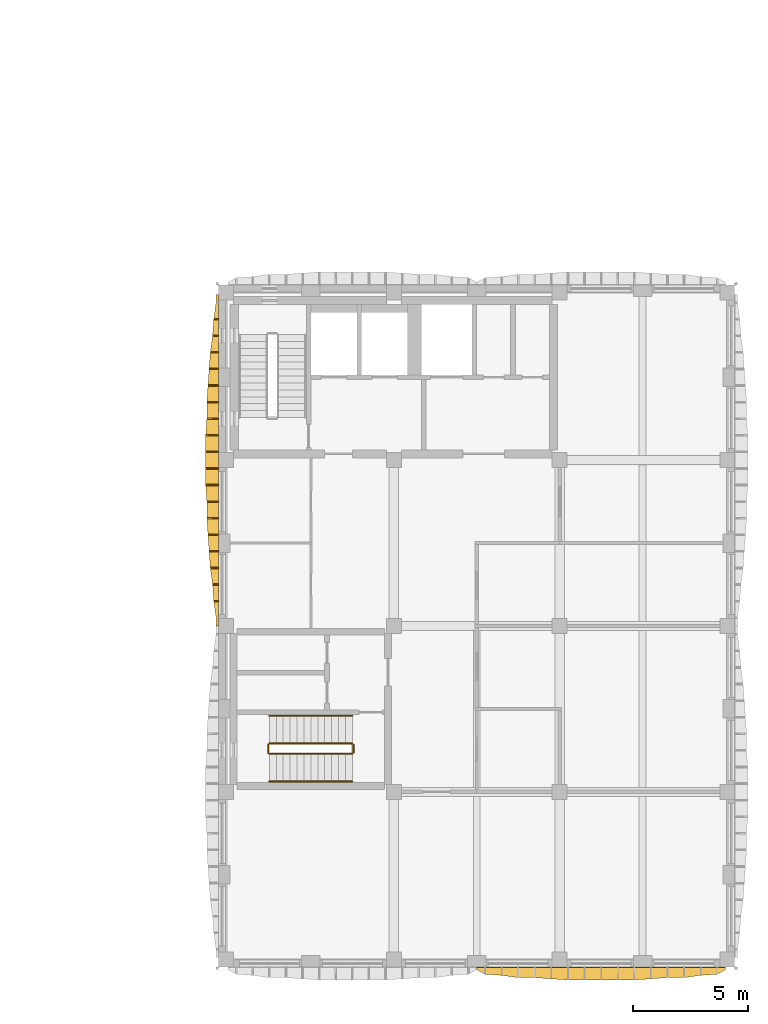
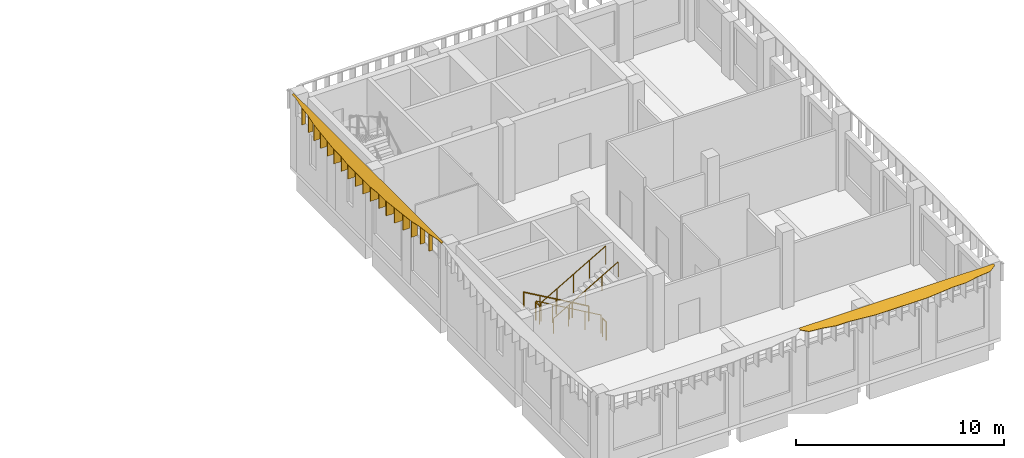
# One storey, part 14 of 24: 20 shading devices, 6 railings.
"""IFC4 building model written with IfcOpenShell, lengths in metres."""

from ifc_helpers import new_model, si_unit, direction, frame, origin, origin_2d, place, context, subcontext, project, spatial, polyline, circle, outline, extrude, material, layer, layer_set, type_object, element, save


model = new_model("IFC4")

# Units and contexts
model_context = context("Model", 3, precision=1e-05, world=origin(), true_north=direction((0.0, 1.0)))
body_context = subcontext(model_context, "Body", "Model", "MODEL_VIEW")
ifc_project = project(units=[si_unit("LENGTHUNIT", "METRE"), si_unit("AREAUNIT", "SQUARE_METRE"), si_unit("VOLUMEUNIT", "CUBIC_METRE"), si_unit("PLANEANGLEUNIT", "RADIAN"), si_unit("MASSUNIT", "GRAM", prefix="KILO")], contexts=[model_context])

# Site, building, storey
site_placement = place(None, origin())
site = spatial("IfcSite", under=ifc_project, at=site_placement, CompositionType="ELEMENT")
building_placement = place(site_placement, origin())
building = spatial("IfcBuilding", under=site, at=building_placement, Name="Ussher Court Research Institute", CompositionType="ELEMENT")
storey_placement = place(building_placement, frame((0.0, 0.0, 32.39990234375)))
storey = spatial("IfcBuildingStorey", under=building, at=storey_placement, Name="L07", CompositionType="ELEMENT", Elevation=32.39990234375)

# Shading devices
ifc_material_1 = material(Name="Bronze anodised aluminium", Category="aluminium")
ifc_layer_1 = layer(ifc_material_1, 0.050048828125)
ifc_layer_set_1 = layer_set([ifc_layer_1], Name="Bronze anodised aluminium")
shading_device_type_1 = type_object("IfcShadingDeviceType", Name="Brim blade 200 mm deep 1100 mm high canted 26 deg wet", PredefinedType="USERDEFINED", material=ifc_layer_set_1)
for number, where, z_axis, x_axis, name in (
    (1, (81.800048828125, 19.47998046875, 3.35009765625), (0.0, 0.0, 1.0), (-1.0, 0.0, 0.0), "Brim blade BS08 L07"),
    (2, (81.800048828125, 31.719970703125, 3.35009765625), (0.0, 0.0, 1.0), (-1.0, 0.0, 0.0), "Brim blade BS08 L07"),
):
    element("IfcShadingDevice", number, at=place(storey_placement, frame(where, z_axis=z_axis, x_axis=x_axis)), inside=storey, type_object=shading_device_type_1, Name=name, ObjectType="BLADE", PredefinedType="USERDEFINED", context=body_context, shape_type="SweptSolid", body=[
        extrude(outline(polyline([(0.0, 0.0), (0.199951171875, 0.0), (0.199951171875, 1.00244140625), (0.0, 1.10009765625), (0.0, 0.0)])), frame((0.0, 0.02490234375, 0.0), z_axis=(0.0, -1.0, 0.0), x_axis=(1.0, 0.0, 0.0)), (0.0, 0.0, 1.0), 0.050048828125),
    ])
ifc_material_2 = material(Name="Bronze anodised aluminium", Category="aluminium")
ifc_layer_2 = layer(ifc_material_2, 0.050048828125)
ifc_layer_set_2 = layer_set([ifc_layer_2], Name="Bronze anodised aluminium")
shading_device_type_2 = type_object("IfcShadingDeviceType", Name="Brim blade 250 mm deep 1100 mm high canted 26 deg wet", PredefinedType="USERDEFINED", material=ifc_layer_set_2)
for number, where, z_axis, x_axis, name in (
    (3, (81.800048828125, 20.199951171875, 3.35009765625), (0.0, 0.0, 1.0), (-1.0, 0.0, 0.0), "Brim blade BS07 L07"),
    (4, (81.800048828125, 31.0, 3.35009765625), (0.0, 0.0, 1.0), (-1.0, 0.0, 0.0), "Brim blade BS07 L07"),
):
    element("IfcShadingDevice", number, at=place(storey_placement, frame(where, z_axis=z_axis, x_axis=x_axis)), inside=storey, type_object=shading_device_type_2, Name=name, ObjectType="BLADE", PredefinedType="USERDEFINED", context=body_context, shape_type="SweptSolid", body=[
        extrude(outline(polyline([(0.0, 0.0), (0.25, 0.0), (0.25, 0.97802734375), (0.0, 1.10009765625), (0.0, 0.0)])), frame((0.0, 0.02490234375, 0.0), z_axis=(0.0, -1.0, 0.0), x_axis=(1.0, 0.0, 0.0)), (0.0, 0.0, 1.0), 0.050048828125),
    ])
ifc_material_3 = material(Name="Bronze anodised aluminium", Category="aluminium")
ifc_layer_3 = layer(ifc_material_3, 0.050048828125)
ifc_layer_set_3 = layer_set([ifc_layer_3], Name="Bronze anodised aluminium")
shading_device_type_3 = type_object("IfcShadingDeviceType", Name="Brim blade 350 mm deep 1100 mm high canted 26 deg wet", PredefinedType="USERDEFINED", material=ifc_layer_set_3)
for number, where, z_axis, x_axis, name in (
    (5, (81.800048828125, 20.919921875, 3.35009765625), (0.0, 0.0, 1.0), (-1.0, 0.0, 0.0), "Brim blade BS05 L07"),
    (6, (81.800048828125, 30.280029296875, 3.35009765625), (0.0, 0.0, 1.0), (-1.0, 0.0, 0.0), "Brim blade BS05 L07"),
):
    element("IfcShadingDevice", number, at=place(storey_placement, frame(where, z_axis=z_axis, x_axis=x_axis)), inside=storey, type_object=shading_device_type_3, Name=name, ObjectType="BLADE", PredefinedType="USERDEFINED", context=body_context, shape_type="SweptSolid", body=[
        extrude(outline(polyline([(0.0, 0.0), (0.35009765625, 0.0), (0.35009765625, 0.92919921875), (0.0, 1.10009765625), (0.0, 0.0)])), frame((0.0, 0.02490234375, 0.0), z_axis=(0.0, -1.0, 0.0), x_axis=(1.0, 0.0, 0.0)), (0.0, 0.0, 1.0), 0.050048828125),
    ])
ifc_material_4 = material(Name="Bronze anodised aluminium", Category="aluminium")
ifc_layer_4 = layer(ifc_material_4, 0.050048828125)
ifc_layer_set_4 = layer_set([ifc_layer_4], Name="Bronze anodised aluminium")
shading_device_type_4 = type_object("IfcShadingDeviceType", Name="Brim blade 400 mm deep 1100 mm high canted 26 deg wet", PredefinedType="USERDEFINED", material=ifc_layer_set_4)
for number, where, z_axis, x_axis, name in (
    (7, (81.800048828125, 21.639892578125, 3.35009765625), (0.0, 0.0, 1.0), (-1.0, 0.0, 0.0), "Brim blade BS04 L07"),
    (8, (81.800048828125, 29.56005859375, 3.35009765625), (0.0, 0.0, 1.0), (-1.0, 0.0, 0.0), "Brim blade BS04 L07"),
):
    element("IfcShadingDevice", number, at=place(storey_placement, frame(where, z_axis=z_axis, x_axis=x_axis)), inside=storey, type_object=shading_device_type_4, Name=name, ObjectType="BLADE", PredefinedType="USERDEFINED", context=body_context, shape_type="SweptSolid", body=[
        extrude(outline(polyline([(0.0, 0.0), (0.400146484375, 0.0), (0.39990234375, 0.90478515625), (0.0, 1.10009765625), (0.0, 0.0)])), frame((0.0, 0.02490234375, 0.0), z_axis=(0.0, -1.0, 0.0), x_axis=(1.0, 0.0, 0.0)), (0.0, 0.0, 1.0), 0.050048828125),
    ])
ifc_material_5 = material(Name="Bronze anodised aluminium", Category="aluminium")
ifc_layer_5 = layer(ifc_material_5, 0.050048828125)
ifc_layer_set_5 = layer_set([ifc_layer_5], Name="Bronze anodised aluminium")
shading_device_type_5 = type_object("IfcShadingDeviceType", Name="Brim blade 450 mm deep 1100 mm high canted 26 deg wet", PredefinedType="USERDEFINED", material=ifc_layer_set_5)
for number, where, z_axis, x_axis, name in (
    (9, (81.800048828125, 22.360107421875, 3.35009765625), (0.0, 0.0, 1.0), (-1.0, 0.0, 0.0), "Brim blade BS03 L07"),
    (10, (81.800048828125, 28.840087890625, 3.35009765625), (0.0, 0.0, 1.0), (-1.0, 0.0, 0.0), "Brim blade BS03 L07"),
):
    element("IfcShadingDevice", number, at=place(storey_placement, frame(where, z_axis=z_axis, x_axis=x_axis)), inside=storey, type_object=shading_device_type_5, Name=name, ObjectType="BLADE", PredefinedType="USERDEFINED", context=body_context, shape_type="SweptSolid", body=[
        extrude(outline(polyline([(0.0, 0.0), (0.449951171875, 0.0), (0.449951171875, 0.880615234375), (0.0, 1.10009765625), (0.0, 0.0)])), frame((0.0, 0.02490234375, 0.0), z_axis=(0.0, -1.0, 0.0), x_axis=(1.0, 0.0, 0.0)), (0.0, 0.0, 1.0), 0.050048828125),
    ])
ifc_material_6 = material(Name="Bronze anodised aluminium", Category="aluminium")
ifc_layer_6 = layer(ifc_material_6, 0.050048828125)
ifc_layer_set_6 = layer_set([ifc_layer_6], Name="Bronze anodised aluminium")
shading_device_type_6 = type_object("IfcShadingDeviceType", Name="Brim blade 500 mm deep 1100 mm high canted 26 deg wet", PredefinedType="USERDEFINED", material=ifc_layer_set_6)
for number, where, z_axis, x_axis, name in (
    (11, (81.800048828125, 23.080078125, 3.35009765625), (0.0, 0.0, 1.0), (-1.0, 0.0, 0.0), "Brim blade BS02 L07"),
    (12, (81.800048828125, 23.800048828125, 3.35009765625), (0.0, 0.0, 1.0), (-1.0, 0.0, 0.0), "Brim blade BS02 L07"),
    (13, (81.800048828125, 27.39990234375, 3.35009765625), (0.0, 0.0, 1.0), (-1.0, 0.0, 0.0), "Brim blade BS02 L07"),
    (14, (81.800048828125, 28.1201171875, 3.35009765625), (0.0, 0.0, 1.0), (-1.0, 0.0, 0.0), "Brim blade BS02 L07"),
):
    element("IfcShadingDevice", number, at=place(storey_placement, frame(where, z_axis=z_axis, x_axis=x_axis)), inside=storey, type_object=shading_device_type_6, Name=name, ObjectType="BLADE", PredefinedType="USERDEFINED", context=body_context, shape_type="SweptSolid", body=[
        extrude(outline(polyline([(0.0, 0.0), (0.5, 0.0), (0.5, 0.856201171875), (0.0, 1.10009765625), (0.0, 0.0)])), frame((0.0, 0.02490234375, 0.0), z_axis=(0.0, -1.0, 0.0), x_axis=(1.0, 0.0, 0.0)), (0.0, 0.0, 1.0), 0.050048828125),
    ])
ifc_material_7 = material(Name="Bronze anodised aluminium", Category="aluminium")
ifc_layer_7 = layer(ifc_material_7, 0.050048828125)
ifc_layer_set_7 = layer_set([ifc_layer_7], Name="Bronze anodised aluminium")
shading_device_type_7 = type_object("IfcShadingDeviceType", Name="Brim blade 550 mm deep 1100 mm high canted 26 deg wet", PredefinedType="USERDEFINED", material=ifc_layer_set_7)
for number, where, z_axis, x_axis, name in (
    (15, (81.800048828125, 24.52001953125, 3.35009765625), (0.0, 0.0, 1.0), (-1.0, 0.0, 0.0), "Brim blade BS01 L07"),
    (16, (81.800048828125, 25.239990234375, 3.35009765625), (0.0, 0.0, 1.0), (-1.0, 0.0, 0.0), "Brim blade BS01 L07"),
    (17, (81.800048828125, 25.9599609375, 3.35009765625), (0.0, 0.0, 1.0), (-1.0, 0.0, 0.0), "Brim blade BS01 L07"),
    (18, (81.800048828125, 26.679931640625, 3.35009765625), (0.0, 0.0, 1.0), (-1.0, 0.0, 0.0), "Brim blade BS01 L07"),
):
    element("IfcShadingDevice", number, at=place(storey_placement, frame(where, z_axis=z_axis, x_axis=x_axis)), inside=storey, type_object=shading_device_type_7, Name=name, ObjectType="BLADE", PredefinedType="USERDEFINED", context=body_context, shape_type="SweptSolid", body=[
        extrude(outline(polyline([(0.0, 0.0), (0.550048828125, 0.0), (0.550048828125, 0.831787109375), (0.0, 1.10009765625), (0.0, 0.0)])), frame((0.0, 0.02490234375, 0.0), z_axis=(0.0, -1.0, 0.0), x_axis=(1.0, 0.0, 0.0)), (0.0, 0.0, 1.0), 0.050048828125),
    ])
ifc_material_8 = material(Name="Bronze anodised aluminium", Category="aluminium")
ifc_layer_8 = layer(ifc_material_8, 0.0400390625)
ifc_layer_set_8 = layer_set([ifc_layer_8], Name="Bronze anodised aluminium")
shading_device_type_8 = type_object("IfcShadingDeviceType", Name="Brim visor sheet 40 mm canted 26 deg wet", PredefinedType="USERDEFINED", material=ifc_layer_set_8)
shading_device_1_placement = place(storey_placement, frame((103.800048828125, 3.58251953125, 4.486083984375), z_axis=(0.0, -0.438461416816, 0.898750013054), x_axis=(-1.0, 0.0, 0.0)))
element("IfcShadingDevice", 19, at=shading_device_1_placement, inside=storey, type_object=shading_device_type_8, Name="Brim visor sheet BR1 L07", ObjectType="BRIM", PredefinedType="USERDEFINED", context=body_context, shape_type="SweptSolid", body=[
    extrude(outline(polyline([(0.0, 0.0), (10.800048828125, 0.0), (10.800048828125, 0.1113720187292832), (10.43994140625, 0.33389663479794396), (9.719970703125, 0.38958264416258553), (9.0, 0.5006281952576233), (8.280029296875, 0.5006281952576233), (7.56005859375, 0.5563142046222649), (6.840087890625, 0.6120002139869065), (6.1201171875, 0.6120002139869065), (5.400146484375, 0.6120002139869065), (4.679931640625, 0.6120002139869065), (3.9599609375, 0.6120002139869065), (3.239990234375, 0.5563142046222649), (2.52001953125, 0.5006281952576233), (1.800048828125, 0.5006281952576233), (1.080078125, 0.38958264416258553), (0.360107421875, 0.33389663479794396), (0.0, 0.1113720187292832), (0.0, 0.0)])), origin(), (0.0, 0.0, -1.0), 0.0400390625),
])
shading_device_2_placement = place(storey_placement, frame((81.782470703125, 18.39990234375, 4.486083984375), z_axis=(-0.438529184396, 0.0, 0.898716949007), x_axis=(0.0, 1.0, 0.0)))
element("IfcShadingDevice", 20, at=shading_device_2_placement, inside=storey, type_object=shading_device_type_8, Name="Brim visor sheet BR1 L07", ObjectType="BRIM", PredefinedType="USERDEFINED", context=body_context, shape_type="SweptSolid", body=[
    extrude(outline(polyline([(0.0, 0.0), (14.400146484375, 0.0), (14.400146484375, 0.11115260474198813), (14.0400390625, 0.11115260474198813), (13.320068359375, 0.22252462280160495), (12.60009765625, 0.27821063183141337), (11.880126953125, 0.3893632365734015), (11.16015625, 0.4449421828140506), (10.440185546875, 0.5006281918438591), (9.72021484375, 0.5563142008736675), (9.0, 0.5563142008736675), (8.280029296875, 0.6120002099034759), (7.56005859375, 0.6120002099034759), (6.840087890625, 0.6120002099034759), (6.1201171875, 0.6120002099034759), (5.400146484375, 0.5563142008736675), (4.68017578125, 0.5563142008736675), (3.960205078125, 0.5006281918438591), (3.239990234375, 0.4449421828140506), (2.52001953125, 0.3893632365734015), (1.800048828125, 0.27821063183141337), (1.080078125, 0.22252462280160495), (0.360107421875, 0.11115260474198813), (0.0, 0.11115260474198813), (0.0, 0.0)])), origin(), (0.0, 0.0, -1.0), 0.0400390625),
])

# Railings
ifc_material_9 = material(Name="Painted steel balustrade", Category="steel")
railing_type_1 = type_object("IfcRailingType", Name="Stair guard 1100 steel balustrade", PredefinedType="GUARDRAIL", material=ifc_material_9)
railing_1_placement = place(storey_placement, frame((87.60009765625, 13.300048828125, 0.173095703125)))
element("IfcRailing", 21, at=railing_1_placement, inside=storey, type_object=railing_type_1, Name="L07 T2 stair guard 1", PredefinedType="GUARDRAIL", context=body_context, shape_type="SweptSolid", body=[
    extrude(circle(Radius=0.02392578125, at=origin_2d()), frame((0.0, 0.0, 1.076171875), z_axis=(-0.866193409371, 0.0, 0.499708892819), x_axis=(0.0, -1.0, 0.0)), (0.0, 0.0, 1.0), 4.15625),
    extrude(circle(Radius=0.02099609375, at=origin_2d()), origin(), (0.0, 0.0, 1.0), 1.052001953125),
    extrude(circle(Radius=0.02099609375, at=origin_2d()), frame((-0.89990234375, 0.0, 0.519287109375)), (0.0, 0.0, 1.0), 1.052001953125),
    extrude(circle(Radius=0.02099609375, at=origin_2d()), frame((-1.800048828125, 0.0, 1.03857421875)), (0.0, 0.0, 1.0), 1.052001953125),
    extrude(circle(Radius=0.02099609375, at=origin_2d()), frame((-2.7001953125, 0.0, 1.5576171875)), (0.0, 0.0, 1.0), 1.052001953125),
    extrude(circle(Radius=0.02099609375, at=origin_2d()), frame((-3.60009765625, 0.0, 2.076904296875)), (0.0, 0.0, 1.0), 1.052001953125),
])
railing_2_placement = place(storey_placement, frame((83.949951171875, 13.25, 2.25)))
element("IfcRailing", 22, at=railing_2_placement, inside=storey, type_object=railing_type_1, Name="L07 T2 stair guard 2", PredefinedType="GUARDRAIL", context=body_context, shape_type="SweptSolid", body=[
    extrude(circle(Radius=0.02392578125, at=origin_2d()), frame((0.0, 0.0, 1.076171875), z_axis=(0.0, -1.0, 0.0), x_axis=(1.0, 0.0, 0.0)), (0.0, 0.0, 1.0), 0.35009765625),
    extrude(circle(Radius=0.02099609375, at=origin_2d()), origin(), (0.0, 0.0, 1.0), 1.052001953125),
    extrude(circle(Radius=0.02099609375, at=origin_2d()), frame((0.0, -0.35009765625, 0.0)), (0.0, 0.0, 1.0), 1.052001953125),
])
railing_3_placement = place(storey_placement, frame((84.0, 12.85009765625, 2.423095703125)))
element("IfcRailing", 23, at=railing_3_placement, inside=storey, type_object=railing_type_1, Name="L07 T2 stair guard 3", PredefinedType="GUARDRAIL", context=body_context, shape_type="SweptSolid", body=[
    extrude(circle(Radius=0.02392578125, at=origin_2d()), frame((0.0, 0.0, 1.076171875), z_axis=(0.866193409371, 0.0, 0.499708892819), x_axis=(0.0, 1.0, 0.0)), (0.0, 0.0, 1.0), 4.15625),
    extrude(circle(Radius=0.02099609375, at=origin_2d()), origin(), (0.0, 0.0, 1.0), 1.052001953125),
    extrude(circle(Radius=0.02099609375, at=origin_2d()), frame((0.89990234375, 0.0, 0.519287109375)), (0.0, 0.0, 1.0), 1.052001953125),
    extrude(circle(Radius=0.02099609375, at=origin_2d()), frame((1.800048828125, 0.0, 1.03857421875)), (0.0, 0.0, 1.0), 1.052001953125),
    extrude(circle(Radius=0.02099609375, at=origin_2d()), frame((2.7001953125, 0.0, 1.5576171875)), (0.0, 0.0, 1.0), 1.052001953125),
    extrude(circle(Radius=0.02099609375, at=origin_2d()), frame((3.60009765625, 0.0, 2.076904296875)), (0.0, 0.0, 1.0), 1.052001953125),
])
railing_4_placement = place(storey_placement, frame((87.64990234375, 13.25, 0.0)))
element("IfcRailing", 24, at=railing_4_placement, inside=storey, type_object=railing_type_1, Name="L07 T2 stair guard 4", PredefinedType="GUARDRAIL", context=body_context, shape_type="SweptSolid", body=[
    extrude(circle(Radius=0.02392578125, at=origin_2d()), frame((0.0, 0.0, 1.076171875), z_axis=(0.0, -1.0, 0.0), x_axis=(1.0, 0.0, 0.0)), (0.0, 0.0, 1.0), 0.35009765625),
    extrude(circle(Radius=0.02099609375, at=origin_2d()), origin(), (0.0, 0.0, 1.0), 1.052001953125),
    extrude(circle(Radius=0.02099609375, at=origin_2d()), frame((0.0, -0.35009765625, 0.0)), (0.0, 0.0, 1.0), 1.052001953125),
])
ifc_material_10 = material(Name="Painted steel handrail", Category="steel")
railing_type_2 = type_object("IfcRailingType", Name="Stair handrail 900 steel", PredefinedType="HANDRAIL", material=ifc_material_10)
railing_5_placement = place(storey_placement, frame((87.60009765625, 14.5, 0.173095703125)))
element("IfcRailing", 25, at=railing_5_placement, inside=storey, type_object=railing_type_2, Name="L07 T2 stair handrail 1", PredefinedType="HANDRAIL", context=body_context, shape_type="SweptSolid", body=[
    extrude(circle(Radius=0.02392578125, at=origin_2d()), frame((0.0, 0.0, 0.8759765625), z_axis=(-0.866193409371, 0.0, 0.499708892819), x_axis=(0.0, -1.0, 0.0)), (0.0, 0.0, 1.0), 4.15625),
    extrude(circle(Radius=0.02099609375, at=origin_2d()), origin(), (0.0, 0.0, 1.0), 0.851806640625),
    extrude(circle(Radius=0.02099609375, at=origin_2d()), frame((-0.89990234375, 0.0, 0.519287109375)), (0.0, 0.0, 1.0), 0.851806640625),
    extrude(circle(Radius=0.02099609375, at=origin_2d()), frame((-1.800048828125, 0.0, 1.03857421875)), (0.0, 0.0, 1.0), 0.851806640625),
    extrude(circle(Radius=0.02099609375, at=origin_2d()), frame((-2.7001953125, 0.0, 1.5576171875)), (0.0, 0.0, 1.0), 0.851806640625),
    extrude(circle(Radius=0.02099609375, at=origin_2d()), frame((-3.60009765625, 0.0, 2.076904296875)), (0.0, 0.0, 1.0), 0.851806640625),
])
railing_6_placement = place(storey_placement, frame((84.0, 11.64990234375, 2.423095703125)))
element("IfcRailing", 26, at=railing_6_placement, inside=storey, type_object=railing_type_2, Name="L07 T2 stair handrail 2", PredefinedType="HANDRAIL", context=body_context, shape_type="SweptSolid", body=[
    extrude(circle(Radius=0.02392578125, at=origin_2d()), frame((0.0, 0.0, 0.8759765625), z_axis=(0.866193409371, 0.0, 0.499708892819), x_axis=(0.0, 1.0, 0.0)), (0.0, 0.0, 1.0), 4.15625),
    extrude(circle(Radius=0.02099609375, at=origin_2d()), origin(), (0.0, 0.0, 1.0), 0.851806640625),
    extrude(circle(Radius=0.02099609375, at=origin_2d()), frame((0.89990234375, 0.0, 0.519287109375)), (0.0, 0.0, 1.0), 0.851806640625),
    extrude(circle(Radius=0.02099609375, at=origin_2d()), frame((1.800048828125, 0.0, 1.03857421875)), (0.0, 0.0, 1.0), 0.851806640625),
    extrude(circle(Radius=0.02099609375, at=origin_2d()), frame((2.7001953125, 0.0, 1.5576171875)), (0.0, 0.0, 1.0), 0.851806640625),
    extrude(circle(Radius=0.02099609375, at=origin_2d()), frame((3.60009765625, 0.0, 2.076904296875)), (0.0, 0.0, 1.0), 0.851806640625),
])

save(model, "model.ifc")
